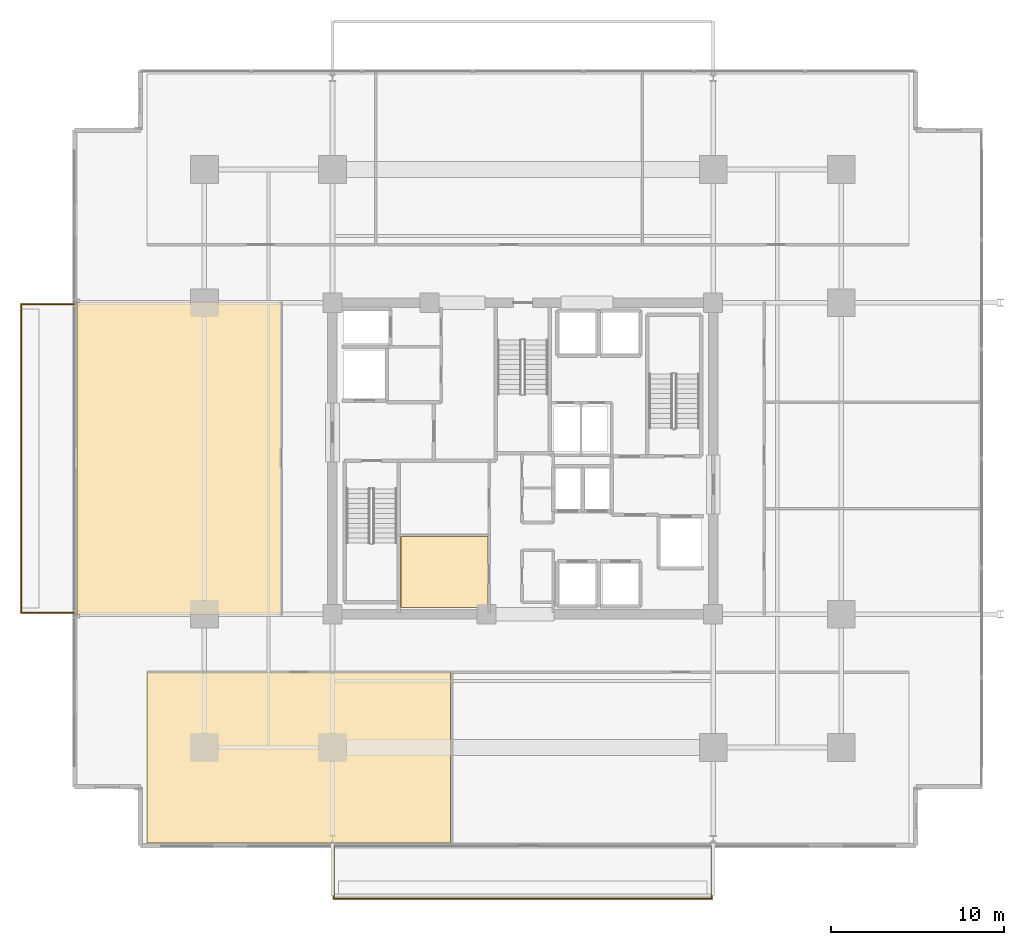
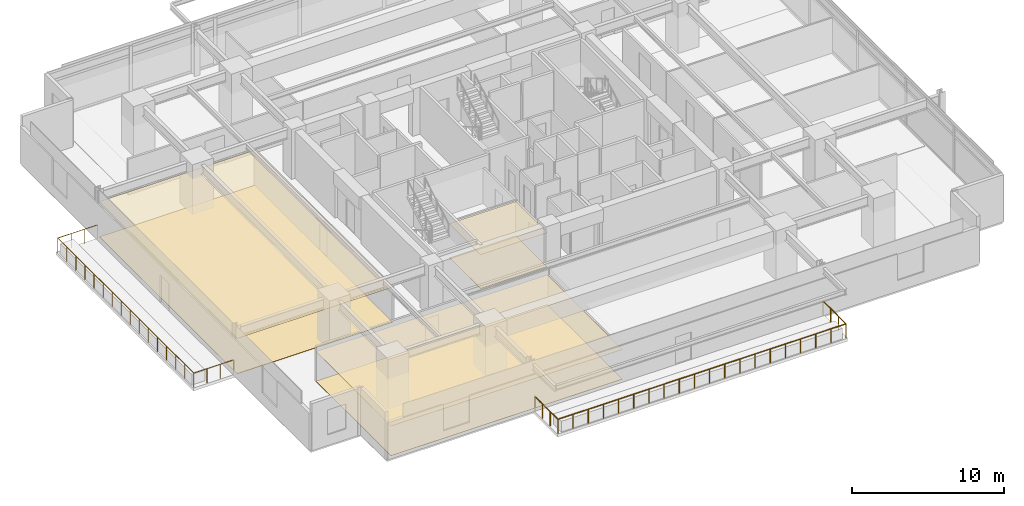
# One storey, part 19 of 24: 6 coverings, 2 railings.
"""IFC4 building model written with IfcOpenShell, lengths in metres."""

import ifcopenshell
import ifcopenshell.guid

model = None  # the IFC model being written
_history = None  # IfcOwnerHistory: only IFC2X3 demands one
_inside = {}  # id of a spatial element -> (the spatial element, [elements in it])
_under = {}  # id of a project, library or spatial element -> (it, [spatial elements below it])
_declared = {}  # id of a project -> (the project, [libraries it declares])
_typed = {}  # id of a type object -> (the type object, [elements of that type])
_made_of = {}  # id of a material, layer set ... -> (it, [elements and type objects made of it])


def new_model(schema):
    """Start an empty IFC model of exactly this schema.

    Asked for "IFC4X3", IfcOpenShell would pick the latest addendum, in which some entities
    have other attributes; the version numbers below select the first issue.
    IFC2X3 requires an IfcOwnerHistory on every rooted entity: one is made here for all.
    """
    global model, _history
    if schema == "IFC4X3":
        model = ifcopenshell.file(schema_version=(4, 3, 0, 0))
    else:
        model = ifcopenshell.file(schema=schema)
    _inside.clear()
    _under.clear()
    _declared.clear()
    _typed.clear()
    _made_of.clear()
    _history = None
    if model.schema == "IFC2X3":
        org = make("IfcOrganization", Name="unknown")
        user = make(
            "IfcPersonAndOrganization",
            ThePerson=make("IfcPerson", FamilyName="unknown"),
            TheOrganization=org,
        )
        app = make(
            "IfcApplication",
            ApplicationDeveloper=org,
            Version="unknown",
            ApplicationFullName="unknown",
            ApplicationIdentifier="unknown",
        )
        _history = make(
            "IfcOwnerHistory",
            OwningUser=user,
            OwningApplication=app,
            ChangeAction="ADDED",
            CreationDate=0,
        )
    return model


def make(cls, **values):
    """One entity of the class cls with the attributes given. An attribute that is None is left unset."""
    return model.create_entity(
        cls, **{name: value for name, value in values.items() if value is not None}
    )


def rooted(cls, **values):
    """An entity with a GlobalId (a new one), such as an element, a storey or a relation."""
    return make(cls, GlobalId=ifcopenshell.guid.new(), OwnerHistory=_history, **values)


def si_unit(unit_type, name, prefix=None):
    """IfcSIUnit, for example si_unit("LENGTHUNIT", "METRE", prefix="MILLI")."""
    return make("IfcSIUnit", UnitType=unit_type, Prefix=prefix, Name=name)


def assignment(units):
    """IfcUnitAssignment: the units of a project."""
    return None if units is None else make("IfcUnitAssignment", Units=units)


def point(xyz):
    """IfcCartesianPoint."""
    return None if xyz is None else make("IfcCartesianPoint", Coordinates=xyz)


def direction(xyz):
    """IfcDirection."""
    return None if xyz is None else make("IfcDirection", DirectionRatios=xyz)


def frame(location, z_axis=None, x_axis=None):
    """IfcAxis2Placement3D, a coordinate frame: its origin and axes. An axis left out is left unset."""
    return make(
        "IfcAxis2Placement3D",
        Location=point(location),
        Axis=direction(z_axis),
        RefDirection=direction(x_axis),
    )


def frame_2d(location, x_axis=None):
    """IfcAxis2Placement2D, a coordinate frame in the plane: its origin and x axis."""
    return make(
        "IfcAxis2Placement2D", Location=point(location), RefDirection=direction(x_axis)
    )


def origin():
    """The frame at (0, 0, 0) with its axes left unset."""
    return frame((0.0, 0.0, 0.0))


def origin_2d():
    """The frame at (0, 0) in the plane with its x axis left unset."""
    return frame_2d((0.0, 0.0))


def place(relative_to, where):
    """IfcLocalPlacement: puts the frame where relative to a parent placement (None: the world)."""
    return make(
        "IfcLocalPlacement", PlacementRelTo=relative_to, RelativePlacement=where
    )


def context(
    kind, dimensions, precision=None, world=None, true_north=None, identifier=None
):
    """IfcGeometricRepresentationContext, for example the 3D "Model" context."""
    return make(
        "IfcGeometricRepresentationContext",
        ContextIdentifier=identifier,
        ContextType=kind,
        CoordinateSpaceDimension=dimensions,
        Precision=precision,
        WorldCoordinateSystem=world,
        TrueNorth=true_north,
    )


def subcontext(parent, identifier, kind, view, scale=None):
    """IfcGeometricRepresentationSubContext, for example "Body" below "Model"."""
    return make(
        "IfcGeometricRepresentationSubContext",
        ContextIdentifier=identifier,
        ContextType=kind,
        ParentContext=parent,
        TargetScale=scale,
        TargetView=view,
    )


def project(units=None, contexts=None):
    """IfcProject with its units and contexts."""
    return rooted(
        "IfcProject",
        Name="project",
        RepresentationContexts=contexts,
        UnitsInContext=assignment(units),
    )


def spatial(cls, under=None, at=None, **own):
    """A site, building, storey or space (cls), placed at a placement, below another one or the project."""
    s = rooted(cls, ObjectPlacement=at, **own)
    if under is not None:
        _under.setdefault(under.id(), (under, []))[1].append(s)
    return s


def polyline(points):
    """IfcPolyline through the points."""
    return make("IfcPolyline", Points=[point(p) for p in points])


def profile(cls, at=None, kind="AREA", **sizes):
    """A parametric profile (cls). Its sizes go by their IFC names, for example OverallWidth=200.0."""
    return make(cls, ProfileType=kind, Position=at, **sizes)


def circle(**sizes):
    """IfcCircleProfileDef."""
    return profile("IfcCircleProfileDef", **sizes)


def outline(outer, holes=None, kind="AREA"):
    """IfcArbitraryClosedProfileDef: a profile drawn as a closed curve; with holes, ...WithVoids."""
    if holes is None:
        return make("IfcArbitraryClosedProfileDef", ProfileType=kind, OuterCurve=outer)
    return make(
        "IfcArbitraryProfileDefWithVoids",
        ProfileType=kind,
        OuterCurve=outer,
        InnerCurves=holes,
    )


def extrude(swept, where, along, depth):
    """IfcExtrudedAreaSolid: the profile swept, set in the frame where, extruded along a direction by depth."""
    return make(
        "IfcExtrudedAreaSolid",
        SweptArea=swept,
        Position=where,
        ExtrudedDirection=direction(along),
        Depth=depth,
    )


def shape(context_of_items, identifier, shape_type, items):
    """IfcShapeRepresentation: the items that make up one representation, for example the "Body"."""
    return make(
        "IfcShapeRepresentation",
        ContextOfItems=context_of_items,
        RepresentationIdentifier=identifier,
        RepresentationType=shape_type,
        Items=items,
    )


def material(Name=None, Category=None):
    """IfcMaterial."""
    return make("IfcMaterial", Name=Name, Category=Category)


def layer(
    of_material, thickness, ventilated=None, Name=None, Category=None, Priority=None
):
    """IfcMaterialLayer: one layer of a wall or slab, of a material (None: an air gap)."""
    return make(
        "IfcMaterialLayer",
        Material=of_material,
        LayerThickness=thickness,
        IsVentilated=ventilated,
        Name=Name,
        Category=Category,
        Priority=Priority,
    )


def layer_set(layers, Name=None):
    """IfcMaterialLayerSet."""
    return make("IfcMaterialLayerSet", MaterialLayers=layers, LayerSetName=Name)


def made_of(thing, what):
    """Note that an element or type object is made of a material, layer set ...; save() writes the relation."""
    if what is not None:
        _made_of.setdefault(what.id(), (what, []))[1].append(thing)
    return thing


def type_object(cls, material=None, **own):
    """A type object (cls), such as IfcWallType, which elements share."""
    return made_of(rooted(cls, **own), material)


def element(
    cls,
    number,
    at=None,
    inside=None,
    cuts=None,
    type_object=None,
    material=None,
    context=None,
    identifier="Body",
    shape_type=None,
    held_by="IfcProductDefinitionShape",
    body=None,
    shapes=None,
    **own,
):
    """One element of the class cls, such as IfcWall. Its Tag is "e" and its number.

    at: its placement. inside: the storey or other place that contains it. cuts: it is an
    opening in that element (IfcRelVoidsElement). A single representation is given by context,
    identifier, shape_type and body (its items); several are given by shapes. held_by: the class
    of the entity that holds the representations. save() writes the other relations.
    """
    e = rooted(cls, Tag="e%d" % number, ObjectPlacement=at, **own)
    if body is not None:
        shapes = [shape(context, identifier, shape_type, body)]
    if shapes is not None:
        e.Representation = make(held_by, Representations=shapes)
    if inside is not None:
        _inside.setdefault(inside.id(), (inside, []))[1].append(e)
    if cuts is not None:
        rooted(
            "IfcRelVoidsElement", RelatingBuildingElement=cuts, RelatedOpeningElement=e
        )
    if type_object is not None:
        _typed.setdefault(type_object.id(), (type_object, []))[1].append(e)
    return made_of(e, material)


def aggregate(whole, parts):
    """IfcRelAggregates: a whole, such as a stair, and the parts it consists of."""
    return rooted("IfcRelAggregates", RelatingObject=whole, RelatedObjects=parts)


def save(model, path):
    """Write the relations noted so far, then the file.

    IfcRelAggregates (storeys below a building ...), IfcRelContainedInSpatialStructure (elements
    in a storey), IfcRelDefinesByType, IfcRelAssociatesMaterial and IfcRelDeclares: one each for
    every whole, place, type object, material and project.
    """
    for whole, parts in _under.values():
        aggregate(whole, parts)
    for where, things in _inside.values():
        rooted(
            "IfcRelContainedInSpatialStructure",
            RelatedElements=things,
            RelatingStructure=where,
        )
    for kind, things in _typed.values():
        rooted("IfcRelDefinesByType", RelatedObjects=things, RelatingType=kind)
    for what, things in _made_of.values():
        rooted("IfcRelAssociatesMaterial", RelatedObjects=things, RelatingMaterial=what)
    for by, libraries in _declared.values():
        rooted("IfcRelDeclares", RelatingContext=by, RelatedDefinitions=libraries)
    model.write(path)


model = new_model("IFC4")

# Units and contexts
model_context = context("Model", 3, precision=1e-05, world=origin(), true_north=direction((0.0, 1.0)))
body_context = subcontext(model_context, "Body", "Model", "MODEL_VIEW")
ifc_project = project(units=[si_unit("LENGTHUNIT", "METRE"), si_unit("AREAUNIT", "SQUARE_METRE"), si_unit("VOLUMEUNIT", "CUBIC_METRE"), si_unit("PLANEANGLEUNIT", "RADIAN"), si_unit("MASSUNIT", "GRAM", prefix="KILO")], contexts=[model_context])

# Site, building, storey
site_placement = place(None, origin())
site = spatial("IfcSite", under=ifc_project, at=site_placement, CompositionType="ELEMENT")
building_placement = place(site_placement, origin())
building = spatial("IfcBuilding", under=site, at=building_placement, Name="Kovane Verandah Tower", CompositionType="ELEMENT")
storey_placement = place(building_placement, frame((0.0, 0.0, 144.39990234375)))
storey = spatial("IfcBuildingStorey", under=building, at=storey_placement, Name="L33", CompositionType="ELEMENT", Elevation=144.39990234375)

# Coverings
ifc_material_1 = material(Name="Perforated Acoustic Mineral-Fibre Ceiling Tile", Category="gypsum")
ifc_layer_1 = layer(ifc_material_1, 0.02490234375)
ifc_layer_set_1 = layer_set([ifc_layer_1], Name="Perforated Acoustic Mineral-Fibre Ceiling Tile")
covering_type_1 = type_object("IfcCoveringType", Name="CV-CEIL-25", PredefinedType="CEILING", material=ifc_layer_set_1)
covering_1_placement = place(storey_placement, frame((0.0, 0.0, 2.72998046875)))
element("IfcCovering", 1, at=covering_1_placement, inside=storey, type_object=covering_type_1, Name="L33 IT Server Room Acoustic Ceiling", PredefinedType="CEILING", context=body_context, shape_type="SweptSolid", body=[
    extrude(outline(polyline([(32.93505859375, 18.885009765625), (37.9951171875, 18.885009765625), (37.9951171875, 22.9951171875), (32.93505859375, 22.9951171875), (32.93505859375, 18.885009765625)])), origin(), (0.0, 0.0, 1.0), 0.025146484375),
])
covering_2_placement = place(storey_placement, frame((0.0, 0.0, 2.380126953125)))
element("IfcCovering", 2, at=covering_2_placement, inside=storey, type_object=covering_type_1, Name="L33 Breakout Pantry S1 Acoustic Ceiling", PredefinedType="CEILING", context=body_context, shape_type="SweptSolid", body=[
    extrude(outline(polyline([(18.29296875, 5.27490234375), (35.831298828125, 5.27490234375), (35.831298828125, 15.14990234375), (18.29296875, 15.14990234375), (18.29296875, 5.27490234375)])), origin(), (0.0, 0.0, 1.0), 0.02490234375),
])
covering_3_placement = place(storey_placement, frame((0.0, 0.0, 2.8251953125)))
element("IfcCovering", 3, at=covering_3_placement, inside=storey, type_object=covering_type_1, Name="L33 Document and Print Room W1 Acoustic Ceiling", PredefinedType="CEILING", context=body_context, shape_type="SweptSolid", body=[
    extrude(outline(polyline([(14.242919921875, 18.449951171875), (26.050048828125, 18.449951171875), (26.050048828125, 36.550048828125), (14.242919921875, 36.550048828125), (14.242919921875, 18.449951171875)])), origin(), (0.0, 0.0, 1.0), 0.02490234375),
])
ifc_material_2 = material(Name="Polished Terrazzo and Raised-Access Carpet Tile Finish", Category="concrete")
ifc_layer_2 = layer(ifc_material_2, 0.030029296875)
ifc_layer_set_2 = layer_set([ifc_layer_2], Name="Polished Terrazzo and Raised-Access Carpet Tile Finish")
covering_type_2 = type_object("IfcCoveringType", Name="CV-FLOR-30", PredefinedType="FLOORING", material=ifc_layer_set_2)
covering_4_placement = place(storey_placement, origin())
element("IfcCovering", 4, at=covering_4_placement, inside=storey, type_object=covering_type_2, Name="L33 IT Server Room Floor Finish", PredefinedType="FLOORING", context=body_context, shape_type="SweptSolid", body=[
    extrude(outline(polyline([(32.949951171875, 18.89990234375), (37.97998046875, 18.89990234375), (37.97998046875, 22.97998046875), (32.949951171875, 22.97998046875), (32.949951171875, 18.89990234375)])), origin(), (0.0, 0.0, 1.0), 0.030029296875),
])
covering_5_placement = place(storey_placement, origin())
element("IfcCovering", 5, at=covering_5_placement, inside=storey, type_object=covering_type_2, Name="L33 Breakout Pantry S1 Floor Finish", PredefinedType="FLOORING", context=body_context, shape_type="SweptSolid", body=[
    extrude(outline(polyline([(18.29296875, 5.27490234375), (35.831298828125, 5.27490234375), (35.831298828125, 15.14990234375), (18.29296875, 15.14990234375), (18.29296875, 5.27490234375)])), origin(), (0.0, 0.0, 1.0), 0.030029296875),
])
covering_6_placement = place(storey_placement, origin())
element("IfcCovering", 6, at=covering_6_placement, inside=storey, type_object=covering_type_2, Name="L33 Document and Print Room W1 Floor Finish", PredefinedType="FLOORING", context=body_context, shape_type="SweptSolid", body=[
    extrude(outline(polyline([(14.242919921875, 18.449951171875), (26.050048828125, 18.449951171875), (26.050048828125, 36.550048828125), (14.242919921875, 36.550048828125), (14.242919921875, 18.449951171875)])), origin(), (0.0, 0.0, 1.0), 0.030029296875),
])

# Railings
ifc_material_3 = material(Name="Laminated Glass and Pale-Champagne Stainless Balustrade", Category="glass")
railing_type = type_object("IfcRailingType", Name="RL-BAL-1150", PredefinedType="BALUSTRADE", material=ifc_material_3)
railing_1_placement = place(storey_placement, frame((29.080078125, 5.074951171875, 0.0)))
element("IfcRailing", 7, at=railing_1_placement, inside=storey, type_object=railing_type, Name="L33 S Verandah Glass Balustrade", PredefinedType="BALUSTRADE", context=body_context, shape_type="SweptSolid", body=[
    extrude(circle(Radius=0.02392578125, at=origin_2d()), frame((0.0, 0.0, 1.1259765625), z_axis=(0.0, -1.0, 0.0), x_axis=(1.0, 0.0, 0.0)), (0.0, 0.0, 1.0), 3.02001953125),
    extrude(circle(Radius=0.02392578125, at=origin_2d()), frame((0.0, -3.02001953125, 1.1259765625), z_axis=(1.0, 0.0, 0.0), x_axis=(0.0, 1.0, 0.0)), (0.0, 0.0, 1.0), 21.83984375),
    extrude(circle(Radius=0.02392578125, at=origin_2d()), frame((21.83984375, -3.02001953125, 1.1259765625), z_axis=(0.0, 1.0, 0.0), x_axis=(-1.0, 0.0, 0.0)), (0.0, 0.0, 1.0), 3.02001953125),
    extrude(circle(Radius=0.02099609375, at=origin_2d()), origin(), (0.0, 0.0, 1.0), 1.101806640625),
    extrude(circle(Radius=0.02099609375, at=origin_2d()), frame((0.0, -1.006591796875, 0.0)), (0.0, 0.0, 1.0), 1.101806640625),
    extrude(circle(Radius=0.02099609375, at=origin_2d()), frame((0.0, -2.013427734375, 0.0)), (0.0, 0.0, 1.0), 1.101806640625),
    extrude(circle(Radius=0.02099609375, at=origin_2d()), frame((0.0, -3.02001953125, 0.0)), (0.0, 0.0, 1.0), 1.101806640625),
    extrude(circle(Radius=0.02099609375, at=origin_2d()), frame((1.1494140625, -3.02001953125, 0.0)), (0.0, 0.0, 1.0), 1.101806640625),
    extrude(circle(Radius=0.02099609375, at=origin_2d()), frame((2.298828125, -3.02001953125, 0.0)), (0.0, 0.0, 1.0), 1.101806640625),
    extrude(circle(Radius=0.02099609375, at=origin_2d()), frame((3.448486328125, -3.02001953125, 0.0)), (0.0, 0.0, 1.0), 1.101806640625),
    extrude(circle(Radius=0.02099609375, at=origin_2d()), frame((4.597900390625, -3.02001953125, 0.0)), (0.0, 0.0, 1.0), 1.101806640625),
    extrude(circle(Radius=0.02099609375, at=origin_2d()), frame((5.747314453125, -3.02001953125, 0.0)), (0.0, 0.0, 1.0), 1.101806640625),
    extrude(circle(Radius=0.02099609375, at=origin_2d()), frame((6.896728515625, -3.02001953125, 0.0)), (0.0, 0.0, 1.0), 1.101806640625),
    extrude(circle(Radius=0.02099609375, at=origin_2d()), frame((8.046142578125, -3.02001953125, 0.0)), (0.0, 0.0, 1.0), 1.101806640625),
    extrude(circle(Radius=0.02099609375, at=origin_2d()), frame((9.19580078125, -3.02001953125, 0.0)), (0.0, 0.0, 1.0), 1.101806640625),
    extrude(circle(Radius=0.02099609375, at=origin_2d()), frame((10.34521484375, -3.02001953125, 0.0)), (0.0, 0.0, 1.0), 1.101806640625),
    extrude(circle(Radius=0.02099609375, at=origin_2d()), frame((11.49462890625, -3.02001953125, 0.0)), (0.0, 0.0, 1.0), 1.101806640625),
    extrude(circle(Radius=0.02099609375, at=origin_2d()), frame((12.64404296875, -3.02001953125, 0.0)), (0.0, 0.0, 1.0), 1.101806640625),
    extrude(circle(Radius=0.02099609375, at=origin_2d()), frame((13.793701171875, -3.02001953125, 0.0)), (0.0, 0.0, 1.0), 1.101806640625),
    extrude(circle(Radius=0.02099609375, at=origin_2d()), frame((14.943115234375, -3.02001953125, 0.0)), (0.0, 0.0, 1.0), 1.101806640625),
    extrude(circle(Radius=0.02099609375, at=origin_2d()), frame((16.092529296875, -3.02001953125, 0.0)), (0.0, 0.0, 1.0), 1.101806640625),
    extrude(circle(Radius=0.02099609375, at=origin_2d()), frame((17.241943359375, -3.02001953125, 0.0)), (0.0, 0.0, 1.0), 1.101806640625),
    extrude(circle(Radius=0.02099609375, at=origin_2d()), frame((18.391357421875, -3.02001953125, 0.0)), (0.0, 0.0, 1.0), 1.101806640625),
    extrude(circle(Radius=0.02099609375, at=origin_2d()), frame((19.541015625, -3.02001953125, 0.0)), (0.0, 0.0, 1.0), 1.101806640625),
    extrude(circle(Radius=0.02099609375, at=origin_2d()), frame((20.6904296875, -3.02001953125, 0.0)), (0.0, 0.0, 1.0), 1.101806640625),
    extrude(circle(Radius=0.02099609375, at=origin_2d()), frame((21.83984375, -3.02001953125, 0.0)), (0.0, 0.0, 1.0), 1.101806640625),
    extrude(circle(Radius=0.02099609375, at=origin_2d()), frame((21.83984375, -2.013427734375, 0.0)), (0.0, 0.0, 1.0), 1.101806640625),
    extrude(circle(Radius=0.02099609375, at=origin_2d()), frame((21.83984375, -1.006591796875, 0.0)), (0.0, 0.0, 1.0), 1.101806640625),
    extrude(circle(Radius=0.02099609375, at=origin_2d()), frame((21.83984375, 0.0, 0.0)), (0.0, 0.0, 1.0), 1.101806640625),
])
railing_2_placement = place(storey_placement, frame((14.04296875, 18.580078125, 0.0)))
element("IfcRailing", 8, at=railing_2_placement, inside=storey, type_object=railing_type, Name="L33 W Verandah Glass Balustrade", PredefinedType="BALUSTRADE", context=body_context, shape_type="SweptSolid", body=[
    extrude(circle(Radius=0.02392578125, at=origin_2d()), frame((0.0, 0.0, 1.1259765625), z_axis=(-1.0, 0.0, 0.0), x_axis=(0.0, -1.0, 0.0)), (0.0, 0.0, 1.0), 3.02001953125),
    extrude(circle(Radius=0.02392578125, at=origin_2d()), frame((-3.02001953125, 0.0, 1.1259765625), z_axis=(0.0, 1.0, 0.0), x_axis=(-1.0, 0.0, 0.0)), (0.0, 0.0, 1.0), 17.83984375),
    extrude(circle(Radius=0.02392578125, at=origin_2d()), frame((-3.02001953125, 17.83984375, 1.1259765625), z_axis=(1.0, 0.0, 0.0), x_axis=(0.0, 1.0, 0.0)), (0.0, 0.0, 1.0), 3.02001953125),
    extrude(circle(Radius=0.02099609375, at=origin_2d()), origin(), (0.0, 0.0, 1.0), 1.101806640625),
    extrude(circle(Radius=0.02099609375, at=origin_2d()), frame((-1.006591796875, 0.0, 0.0)), (0.0, 0.0, 1.0), 1.101806640625),
    extrude(circle(Radius=0.02099609375, at=origin_2d()), frame((-2.013427734375, 0.0, 0.0)), (0.0, 0.0, 1.0), 1.101806640625),
    extrude(circle(Radius=0.02099609375, at=origin_2d()), frame((-3.02001953125, 0.0, 0.0)), (0.0, 0.0, 1.0), 1.101806640625),
    extrude(circle(Radius=0.02099609375, at=origin_2d()), frame((-3.02001953125, 1.189208984375, 0.0)), (0.0, 0.0, 1.0), 1.101806640625),
    extrude(circle(Radius=0.02099609375, at=origin_2d()), frame((-3.02001953125, 2.378662109375, 0.0)), (0.0, 0.0, 1.0), 1.101806640625),
    extrude(circle(Radius=0.02099609375, at=origin_2d()), frame((-3.02001953125, 3.56787109375, 0.0)), (0.0, 0.0, 1.0), 1.101806640625),
    extrude(circle(Radius=0.02099609375, at=origin_2d()), frame((-3.02001953125, 4.75732421875, 0.0)), (0.0, 0.0, 1.0), 1.101806640625),
    extrude(circle(Radius=0.02099609375, at=origin_2d()), frame((-3.02001953125, 5.946533203125, 0.0)), (0.0, 0.0, 1.0), 1.101806640625),
    extrude(circle(Radius=0.02099609375, at=origin_2d()), frame((-3.02001953125, 7.135986328125, 0.0)), (0.0, 0.0, 1.0), 1.101806640625),
    extrude(circle(Radius=0.02099609375, at=origin_2d()), frame((-3.02001953125, 8.3251953125, 0.0)), (0.0, 0.0, 1.0), 1.101806640625),
    extrude(circle(Radius=0.02099609375, at=origin_2d()), frame((-3.02001953125, 9.5146484375, 0.0)), (0.0, 0.0, 1.0), 1.101806640625),
    extrude(circle(Radius=0.02099609375, at=origin_2d()), frame((-3.02001953125, 10.703857421875, 0.0)), (0.0, 0.0, 1.0), 1.101806640625),
    extrude(circle(Radius=0.02099609375, at=origin_2d()), frame((-3.02001953125, 11.893310546875, 0.0)), (0.0, 0.0, 1.0), 1.101806640625),
    extrude(circle(Radius=0.02099609375, at=origin_2d()), frame((-3.02001953125, 13.08251953125, 0.0)), (0.0, 0.0, 1.0), 1.101806640625),
    extrude(circle(Radius=0.02099609375, at=origin_2d()), frame((-3.02001953125, 14.27197265625, 0.0)), (0.0, 0.0, 1.0), 1.101806640625),
    extrude(circle(Radius=0.02099609375, at=origin_2d()), frame((-3.02001953125, 15.461181640625, 0.0)), (0.0, 0.0, 1.0), 1.101806640625),
    extrude(circle(Radius=0.02099609375, at=origin_2d()), frame((-3.02001953125, 16.650634765625, 0.0)), (0.0, 0.0, 1.0), 1.101806640625),
    extrude(circle(Radius=0.02099609375, at=origin_2d()), frame((-3.02001953125, 17.83984375, 0.0)), (0.0, 0.0, 1.0), 1.101806640625),
    extrude(circle(Radius=0.02099609375, at=origin_2d()), frame((-2.013427734375, 17.83984375, 0.0)), (0.0, 0.0, 1.0), 1.101806640625),
    extrude(circle(Radius=0.02099609375, at=origin_2d()), frame((-1.006591796875, 17.83984375, 0.0)), (0.0, 0.0, 1.0), 1.101806640625),
    extrude(circle(Radius=0.02099609375, at=origin_2d()), frame((0.0, 17.83984375, 0.0)), (0.0, 0.0, 1.0), 1.101806640625),
])

save(model, "model.ifc")
